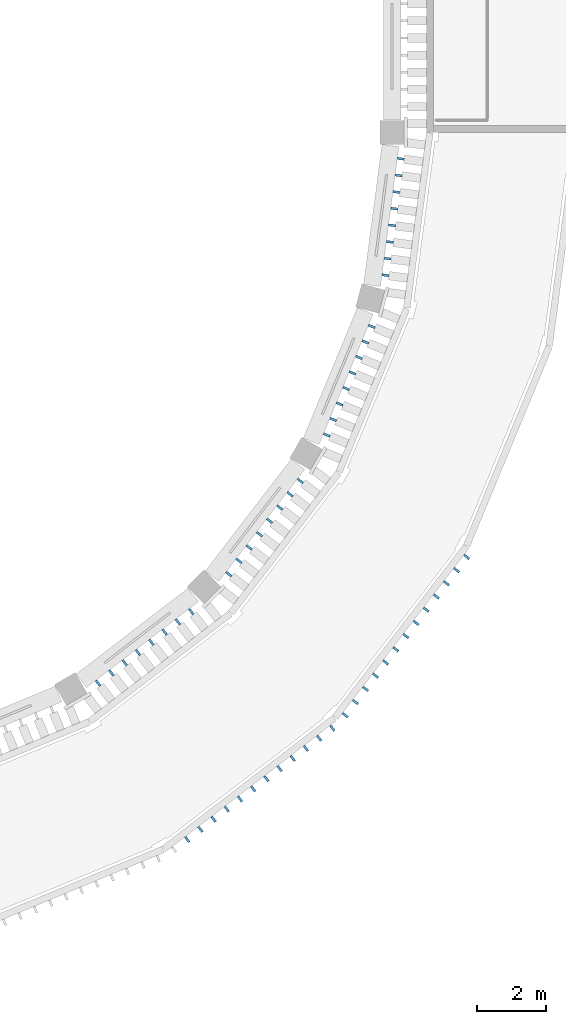
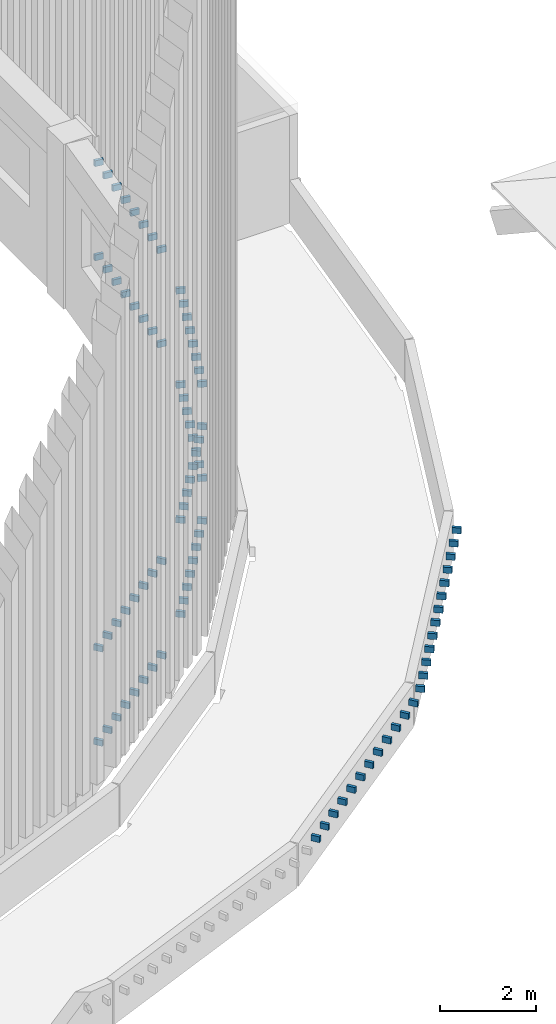
# One storey, part 36 of 68: 89 discrete accessories.
"""IFC4 building model written with IfcOpenShell, lengths in metres."""

from ifc_helpers import new_model, si_unit, direction, frame, origin, origin_2d, place, context, subcontext, project, spatial, rectangle, extrude, material, type_object, element, save


model = new_model("IFC4")

# Units and contexts
model_context = context("Model", 3, precision=1e-05, world=origin(), true_north=direction((0.0, 1.0)))
body_context = subcontext(model_context, "Body", "Model", "MODEL_VIEW")
ifc_project = project(units=[si_unit("LENGTHUNIT", "METRE"), si_unit("AREAUNIT", "SQUARE_METRE"), si_unit("VOLUMEUNIT", "CUBIC_METRE"), si_unit("PLANEANGLEUNIT", "RADIAN"), si_unit("MASSUNIT", "GRAM", prefix="KILO")], contexts=[model_context])

# Site, building, storey
site_placement = place(None, origin())
site = spatial("IfcSite", under=ifc_project, at=site_placement, CompositionType="ELEMENT")
building_placement = place(site_placement, origin())
building = spatial("IfcBuilding", under=site, at=building_placement, Name="Wasatch Bagh Community Centre", CompositionType="ELEMENT")
storey_placement = place(building_placement, frame((0.0, 0.0, 8.39990234375)))
storey = spatial("IfcBuildingStorey", under=building, at=storey_placement, Name="L02", CompositionType="ELEMENT", Elevation=8.39990234375)

# Discrete accessories
ifc_material = material(Name="ASTM A36 steel", Category="steel")
discrete_accessory_type_1 = type_object("IfcDiscreteAccessoryType", Name="Drum fin bracket", PredefinedType="BRACKET", material=ifc_material)
for number, where, z_axis, x_axis, name in (
    (1, (48.7724609375, 14.37158203125, 0.72509765625), (0.0, 0.0, 1.0), (0.793353340291, 0.608761429009, 0.0), "Fin bracket 9.2.3"),
    (2, (49.156982421875, 14.666748046875, 0.72509765625), (0.0, 0.0, 1.0), (0.793353340291, 0.608761429009, 0.0), "Fin bracket 9.3.3"),
    (3, (49.541748046875, 14.962158203125, 0.72509765625), (0.0, 0.0, 1.0), (0.793353340291, 0.608761429009, 0.0), "Fin bracket 9.4.3"),
    (4, (49.926513671875, 15.25732421875, 0.72509765625), (0.0, 0.0, 1.0), (0.793353340291, 0.608761429009, 0.0), "Fin bracket 9.5.3"),
    (5, (50.311279296875, 15.552490234375, 0.72509765625), (0.0, 0.0, 1.0), (0.793353340291, 0.608761429009, 0.0), "Fin bracket 9.6.3"),
    (6, (50.696044921875, 15.84765625, 0.72509765625), (0.0, 0.0, 1.0), (0.793353340291, 0.608761429009, 0.0), "Fin bracket 9.7.3"),
    (7, (51.080810546875, 16.14306640625, 0.72509765625), (0.0, 0.0, 1.0), (0.793353340291, 0.608761429009, 0.0), "Fin bracket 9.8.3"),
    (8, (51.465576171875, 16.438232421875, 0.72509765625), (0.0, 0.0, 1.0), (0.793353340291, 0.608761429009, 0.0), "Fin bracket 9.9.3"),
    (9, (51.850341796875, 16.7333984375, 0.72509765625), (0.0, 0.0, 1.0), (0.793353340291, 0.608761429009, 0.0), "Fin bracket 9.10.3"),
    (10, (52.235107421875, 17.028564453125, 0.72509765625), (0.0, 0.0, 1.0), (0.793353340291, 0.608761429009, 0.0), "Fin bracket 9.11.3"),
    (11, (52.61962890625, 17.32373046875, 0.72509765625), (0.0, 0.0, 1.0), (0.793353340291, 0.608761429009, 0.0), "Fin bracket 9.12.3"),
    (12, (53.00439453125, 17.619140625, 0.72509765625), (0.0, 0.0, 1.0), (0.793353340291, 0.608761429009, 0.0), "Fin bracket 9.13.3"),
    (13, (53.380859375, 17.99560546875, 0.72509765625), (0.0, 0.0, 1.0), (0.608761429009, 0.793353340291, 0.0), "Fin bracket 10.1.3"),
    (14, (53.67626953125, 18.38037109375, 0.72509765625), (0.0, 0.0, 1.0), (0.608761429009, 0.793353340291, 0.0), "Fin bracket 10.2.3"),
    (15, (53.971435546875, 18.764892578125, 0.72509765625), (0.0, 0.0, 1.0), (0.608761429009, 0.793353340291, 0.0), "Fin bracket 10.3.3"),
    (16, (54.2666015625, 19.149658203125, 0.72509765625), (0.0, 0.0, 1.0), (0.608761429009, 0.793353340291, 0.0), "Fin bracket 10.4.3"),
    (17, (54.561767578125, 19.534423828125, 0.72509765625), (0.0, 0.0, 1.0), (0.608761429009, 0.793353340291, 0.0), "Fin bracket 10.5.3"),
    (18, (54.85693359375, 19.919189453125, 0.72509765625), (0.0, 0.0, 1.0), (0.608761429009, 0.793353340291, 0.0), "Fin bracket 10.6.3"),
    (19, (55.15234375, 20.303955078125, 0.72509765625), (0.0, 0.0, 1.0), (0.608761429009, 0.793353340291, 0.0), "Fin bracket 10.7.3"),
    (20, (55.447509765625, 20.688720703125, 0.72509765625), (0.0, 0.0, 1.0), (0.608761429009, 0.793353340291, 0.0), "Fin bracket 10.8.3"),
    (21, (55.74267578125, 21.073486328125, 0.72509765625), (0.0, 0.0, 1.0), (0.608761429009, 0.793353340291, 0.0), "Fin bracket 10.9.3"),
    (22, (56.037841796875, 21.458251953125, 0.72509765625), (0.0, 0.0, 1.0), (0.608761429009, 0.793353340291, 0.0), "Fin bracket 10.10.3"),
    (23, (56.333251953125, 21.843017578125, 0.72509765625), (0.0, 0.0, 1.0), (0.608761429009, 0.793353340291, 0.0), "Fin bracket 10.11.3"),
    (24, (56.62841796875, 22.2275390625, 0.72509765625), (0.0, 0.0, 1.0), (0.608761429009, 0.793353340291, 0.0), "Fin bracket 10.12.3"),
    (25, (56.923583984375, 22.6123046875, 0.72509765625), (0.0, 0.0, 1.0), (0.608761429009, 0.793353340291, 0.0), "Fin bracket 10.13.3"),
):
    element("IfcDiscreteAccessory", number, at=place(storey_placement, frame(where, z_axis=z_axis, x_axis=x_axis)), inside=storey, type_object=discrete_accessory_type_1, Name=name, PredefinedType="BRACKET", context=body_context, shape_type="SweptSolid", body=[
        extrude(rectangle(XDim=0.070068359375, YDim=0.195068359375, at=origin_2d()), origin(), (0.0, 0.0, 1.0), 0.14990234375),
    ])
discrete_accessory_type_2 = type_object("IfcDiscreteAccessoryType", Name="MH fin bracket", PredefinedType="BRACKET", material=ifc_material)
for number, where, z_axis, x_axis, name in (
    (26, (46.170654296875, 18.931396484375, 1.3251953125), (0.0, 0.0, 1.0), (0.793353340291, 0.608761429009, 0.0), "Fin bracket 9.2.1"),
    (27, (46.170654296875, 18.931396484375, 3.72509765625), (0.0, 0.0, 1.0), (0.793353340291, 0.608761429009, 0.0), "Fin bracket 9.2.2"),
    (28, (46.558837890625, 19.229248046875, 1.3251953125), (0.0, 0.0, 1.0), (0.793353340291, 0.608761429009, 0.0), "Fin bracket 9.3.1"),
    (29, (46.558837890625, 19.229248046875, 3.72509765625), (0.0, 0.0, 1.0), (0.793353340291, 0.608761429009, 0.0), "Fin bracket 9.3.2"),
    (30, (46.947265625, 19.52734375, 1.3251953125), (0.0, 0.0, 1.0), (0.793353340291, 0.608761429009, 0.0), "Fin bracket 9.4.1"),
    (31, (46.947265625, 19.52734375, 3.72509765625), (0.0, 0.0, 1.0), (0.793353340291, 0.608761429009, 0.0), "Fin bracket 9.4.2"),
    (32, (47.33544921875, 19.8251953125, 1.3251953125), (0.0, 0.0, 1.0), (0.793353340291, 0.608761429009, 0.0), "Fin bracket 9.5.1"),
    (33, (47.33544921875, 19.8251953125, 3.72509765625), (0.0, 0.0, 1.0), (0.793353340291, 0.608761429009, 0.0), "Fin bracket 9.5.2"),
    (34, (47.723876953125, 20.123291015625, 1.3251953125), (0.0, 0.0, 1.0), (0.793353340291, 0.608761429009, 0.0), "Fin bracket 9.6.1"),
    (35, (47.723876953125, 20.123291015625, 3.72509765625), (0.0, 0.0, 1.0), (0.793353340291, 0.608761429009, 0.0), "Fin bracket 9.6.2"),
    (36, (48.112060546875, 20.421142578125, 1.3251953125), (0.0, 0.0, 1.0), (0.793353340291, 0.608761429009, 0.0), "Fin bracket 9.7.1"),
    (37, (48.112060546875, 20.421142578125, 3.72509765625), (0.0, 0.0, 1.0), (0.793353340291, 0.608761429009, 0.0), "Fin bracket 9.7.2"),
    (38, (48.50048828125, 20.71923828125, 1.3251953125), (0.0, 0.0, 1.0), (0.793353340291, 0.608761429009, 0.0), "Fin bracket 9.8.1"),
    (39, (48.50048828125, 20.71923828125, 3.72509765625), (0.0, 0.0, 1.0), (0.793353340291, 0.608761429009, 0.0), "Fin bracket 9.8.2"),
    (40, (48.888916015625, 21.01708984375, 1.3251953125), (0.0, 0.0, 1.0), (0.793353340291, 0.608761429009, 0.0), "Fin bracket 9.9.1"),
    (41, (48.888916015625, 21.01708984375, 3.72509765625), (0.0, 0.0, 1.0), (0.793353340291, 0.608761429009, 0.0), "Fin bracket 9.9.2"),
    (42, (49.98291015625, 22.111083984375, 1.3251953125), (0.0, 0.0, 1.0), (0.608761429009, 0.793353340291, 0.0), "Fin bracket 10.2.1"),
    (43, (49.98291015625, 22.111083984375, 3.72509765625), (0.0, 0.0, 1.0), (0.608761429009, 0.793353340291, 0.0), "Fin bracket 10.2.2"),
    (44, (50.28076171875, 22.49951171875, 1.3251953125), (0.0, 0.0, 1.0), (0.608761429009, 0.793353340291, 0.0), "Fin bracket 10.3.1"),
    (45, (50.28076171875, 22.49951171875, 3.72509765625), (0.0, 0.0, 1.0), (0.608761429009, 0.793353340291, 0.0), "Fin bracket 10.3.2"),
    (46, (50.578857421875, 22.887939453125, 1.3251953125), (0.0, 0.0, 1.0), (0.608761429009, 0.793353340291, 0.0), "Fin bracket 10.4.1"),
    (47, (50.578857421875, 22.887939453125, 3.72509765625), (0.0, 0.0, 1.0), (0.608761429009, 0.793353340291, 0.0), "Fin bracket 10.4.2"),
    (48, (50.876708984375, 23.276123046875, 1.3251953125), (0.0, 0.0, 1.0), (0.608761429009, 0.793353340291, 0.0), "Fin bracket 10.5.1"),
    (49, (50.876708984375, 23.276123046875, 3.72509765625), (0.0, 0.0, 1.0), (0.608761429009, 0.793353340291, 0.0), "Fin bracket 10.5.2"),
    (50, (51.1748046875, 23.66455078125, 1.3251953125), (0.0, 0.0, 1.0), (0.608761429009, 0.793353340291, 0.0), "Fin bracket 10.6.1"),
    (51, (51.1748046875, 23.66455078125, 3.72509765625), (0.0, 0.0, 1.0), (0.608761429009, 0.793353340291, 0.0), "Fin bracket 10.6.2"),
    (52, (51.47265625, 24.052734375, 1.3251953125), (0.0, 0.0, 1.0), (0.608761429009, 0.793353340291, 0.0), "Fin bracket 10.7.1"),
    (53, (51.47265625, 24.052734375, 3.72509765625), (0.0, 0.0, 1.0), (0.608761429009, 0.793353340291, 0.0), "Fin bracket 10.7.2"),
    (54, (51.770751953125, 24.441162109375, 1.3251953125), (0.0, 0.0, 1.0), (0.608761429009, 0.793353340291, 0.0), "Fin bracket 10.8.1"),
    (55, (51.770751953125, 24.441162109375, 3.72509765625), (0.0, 0.0, 1.0), (0.608761429009, 0.793353340291, 0.0), "Fin bracket 10.8.2"),
    (56, (52.068603515625, 24.829345703125, 1.3251953125), (0.0, 0.0, 1.0), (0.608761429009, 0.793353340291, 0.0), "Fin bracket 10.9.1"),
    (57, (52.068603515625, 24.829345703125, 3.72509765625), (0.0, 0.0, 1.0), (0.608761429009, 0.793353340291, 0.0), "Fin bracket 10.9.2"),
    (58, (52.84228515625, 26.16943359375, 1.3251953125), (0.0, 0.0, 1.0), (0.382683432365, 0.923879532511, 0.0), "Fin bracket 11.2.1"),
    (59, (52.84228515625, 26.16943359375, 3.72509765625), (0.0, 0.0, 1.0), (0.382683432365, 0.923879532511, 0.0), "Fin bracket 11.2.2"),
    (60, (53.029541015625, 26.62158203125, 1.3251953125), (0.0, 0.0, 1.0), (0.382683432365, 0.923879532511, 0.0), "Fin bracket 11.3.1"),
    (61, (53.029541015625, 26.62158203125, 3.72509765625), (0.0, 0.0, 1.0), (0.382683432365, 0.923879532511, 0.0), "Fin bracket 11.3.2"),
    (62, (53.217041015625, 27.07373046875, 1.3251953125), (0.0, 0.0, 1.0), (0.382683432365, 0.923879532511, 0.0), "Fin bracket 11.4.1"),
    (63, (53.217041015625, 27.07373046875, 3.72509765625), (0.0, 0.0, 1.0), (0.382683432365, 0.923879532511, 0.0), "Fin bracket 11.4.2"),
    (64, (53.404296875, 27.526123046875, 1.3251953125), (0.0, 0.0, 1.0), (0.382683432365, 0.923879532511, 0.0), "Fin bracket 11.5.1"),
    (65, (53.404296875, 27.526123046875, 3.72509765625), (0.0, 0.0, 1.0), (0.382683432365, 0.923879532511, 0.0), "Fin bracket 11.5.2"),
    (66, (53.591552734375, 27.978271484375, 1.3251953125), (0.0, 0.0, 1.0), (0.382683432365, 0.923879532511, 0.0), "Fin bracket 11.6.1"),
    (67, (53.591552734375, 27.978271484375, 3.72509765625), (0.0, 0.0, 1.0), (0.382683432365, 0.923879532511, 0.0), "Fin bracket 11.6.2"),
    (68, (53.77880859375, 28.430419921875, 1.3251953125), (0.0, 0.0, 1.0), (0.382683432365, 0.923879532511, 0.0), "Fin bracket 11.7.1"),
    (69, (53.77880859375, 28.430419921875, 3.72509765625), (0.0, 0.0, 1.0), (0.382683432365, 0.923879532511, 0.0), "Fin bracket 11.7.2"),
    (70, (53.966064453125, 28.882568359375, 1.3251953125), (0.0, 0.0, 1.0), (0.382683432365, 0.923879532511, 0.0), "Fin bracket 11.8.1"),
    (71, (53.966064453125, 28.882568359375, 3.72509765625), (0.0, 0.0, 1.0), (0.382683432365, 0.923879532511, 0.0), "Fin bracket 11.8.2"),
    (72, (54.153564453125, 29.3349609375, 1.3251953125), (0.0, 0.0, 1.0), (0.382683432365, 0.923879532511, 0.0), "Fin bracket 11.9.1"),
    (73, (54.153564453125, 29.3349609375, 3.72509765625), (0.0, 0.0, 1.0), (0.382683432365, 0.923879532511, 0.0), "Fin bracket 11.9.2"),
    (74, (54.553955078125, 30.829345703125, 1.3251953125), (0.0, 0.0, 1.0), (0.13052619222, 0.991444861374, 0.0), "Fin bracket 12.2.1"),
    (75, (54.553955078125, 30.829345703125, 3.72509765625), (0.0, 0.0, 1.0), (0.13052619222, 0.991444861374, 0.0), "Fin bracket 12.2.2"),
    (76, (54.617919921875, 31.314697265625, 1.3251953125), (0.0, 0.0, 1.0), (0.13052619222, 0.991444861374, 0.0), "Fin bracket 12.3.1"),
    (77, (54.617919921875, 31.314697265625, 3.72509765625), (0.0, 0.0, 1.0), (0.13052619222, 0.991444861374, 0.0), "Fin bracket 12.3.2"),
    (78, (54.681640625, 31.800048828125, 1.3251953125), (0.0, 0.0, 1.0), (0.13052619222, 0.991444861374, 0.0), "Fin bracket 12.4.1"),
    (79, (54.681640625, 31.800048828125, 3.72509765625), (0.0, 0.0, 1.0), (0.13052619222, 0.991444861374, 0.0), "Fin bracket 12.4.2"),
    (80, (54.74560546875, 32.28515625, 1.3251953125), (0.0, 0.0, 1.0), (0.13052619222, 0.991444861374, 0.0), "Fin bracket 12.5.1"),
    (81, (54.74560546875, 32.28515625, 3.72509765625), (0.0, 0.0, 1.0), (0.13052619222, 0.991444861374, 0.0), "Fin bracket 12.5.2"),
    (82, (54.8095703125, 32.7705078125, 1.3251953125), (0.0, 0.0, 1.0), (0.13052619222, 0.991444861374, 0.0), "Fin bracket 12.6.1"),
    (83, (54.8095703125, 32.7705078125, 3.72509765625), (0.0, 0.0, 1.0), (0.13052619222, 0.991444861374, 0.0), "Fin bracket 12.6.2"),
    (84, (54.873291015625, 33.255859375, 1.3251953125), (0.0, 0.0, 1.0), (0.13052619222, 0.991444861374, 0.0), "Fin bracket 12.7.1"),
    (85, (54.873291015625, 33.255859375, 3.72509765625), (0.0, 0.0, 1.0), (0.13052619222, 0.991444861374, 0.0), "Fin bracket 12.7.2"),
    (86, (54.937255859375, 33.7412109375, 1.3251953125), (0.0, 0.0, 1.0), (0.13052619222, 0.991444861374, 0.0), "Fin bracket 12.8.1"),
    (87, (54.937255859375, 33.7412109375, 3.72509765625), (0.0, 0.0, 1.0), (0.13052619222, 0.991444861374, 0.0), "Fin bracket 12.8.2"),
    (88, (55.001220703125, 34.226318359375, 1.3251953125), (0.0, 0.0, 1.0), (0.13052619222, 0.991444861374, 0.0), "Fin bracket 12.9.1"),
    (89, (55.001220703125, 34.226318359375, 3.72509765625), (0.0, 0.0, 1.0), (0.13052619222, 0.991444861374, 0.0), "Fin bracket 12.9.2"),
):
    element("IfcDiscreteAccessory", number, at=place(storey_placement, frame(where, z_axis=z_axis, x_axis=x_axis)), inside=storey, type_object=discrete_accessory_type_2, Name=name, PredefinedType="BRACKET", context=body_context, shape_type="SweptSolid", body=[
        extrude(rectangle(XDim=0.070068359375, YDim=0.199951171875, at=origin_2d()), origin(), (0.0, 0.0, 1.0), 0.14990234375),
    ])

save(model, "model.ifc")
